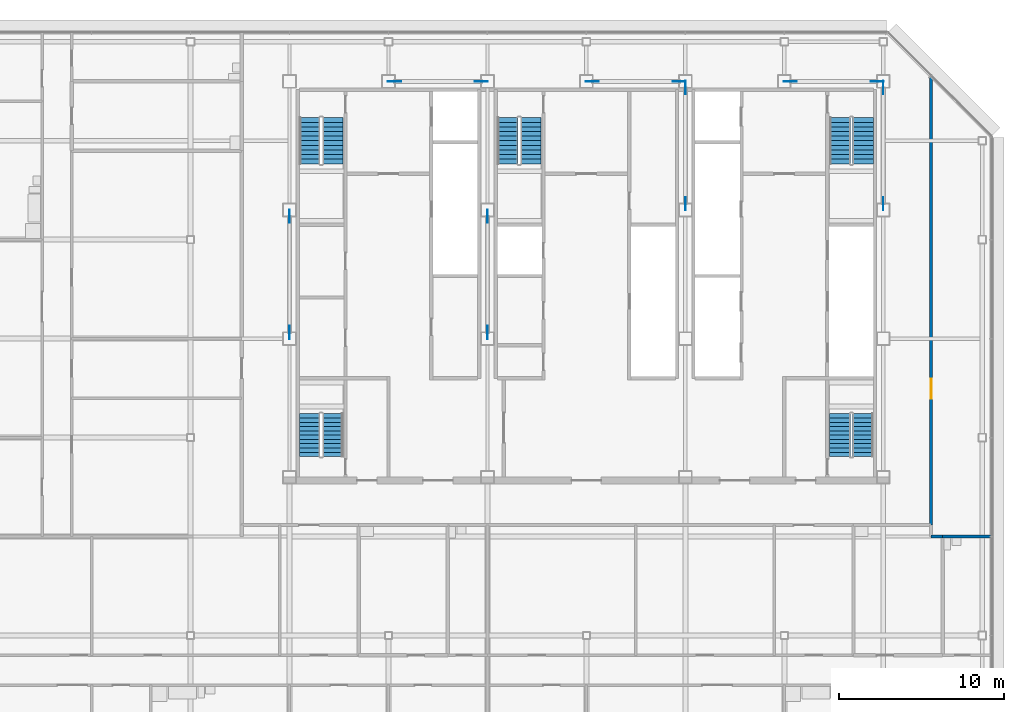
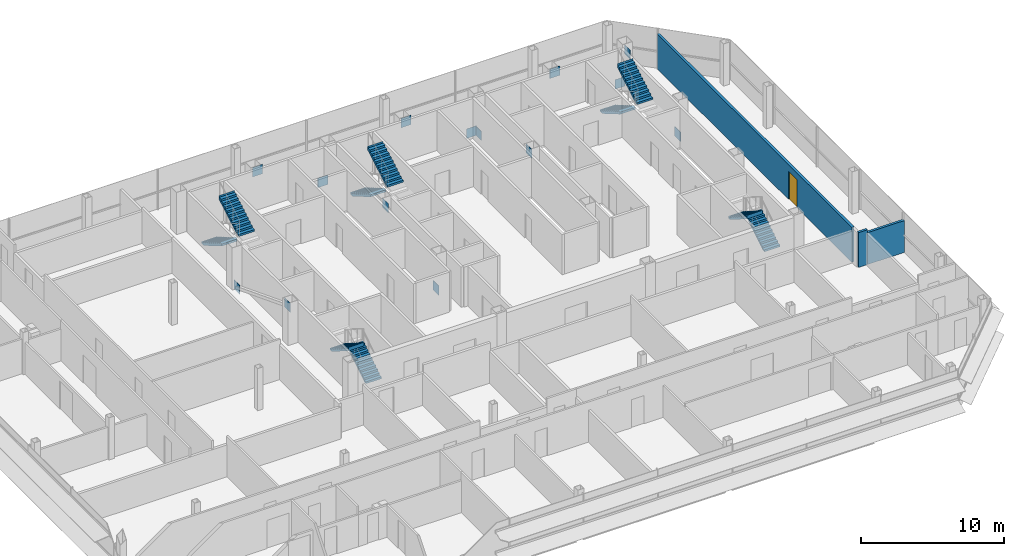
# One storey, part 25 of 27: 14 discrete accessories, 10 stair flights, 3 walls, 1 door, 1 opening, 5 elements without a shape of their own.
"""IFC4 building model written with IfcOpenShell, lengths in metres."""

import ifcopenshell
import ifcopenshell.guid

model = None  # the IFC model being written
_history = None  # IfcOwnerHistory: only IFC2X3 demands one
_inside = {}  # id of a spatial element -> (the spatial element, [elements in it])
_under = {}  # id of a project, library or spatial element -> (it, [spatial elements below it])
_declared = {}  # id of a project -> (the project, [libraries it declares])
_typed = {}  # id of a type object -> (the type object, [elements of that type])
_made_of = {}  # id of a material, layer set ... -> (it, [elements and type objects made of it])


def new_model(schema):
    """Start an empty IFC model of exactly this schema.

    Asked for "IFC4X3", IfcOpenShell would pick the latest addendum, in which some entities
    have other attributes; the version numbers below select the first issue.
    IFC2X3 requires an IfcOwnerHistory on every rooted entity: one is made here for all.
    """
    global model, _history
    if schema == "IFC4X3":
        model = ifcopenshell.file(schema_version=(4, 3, 0, 0))
    else:
        model = ifcopenshell.file(schema=schema)
    _inside.clear()
    _under.clear()
    _declared.clear()
    _typed.clear()
    _made_of.clear()
    _history = None
    if model.schema == "IFC2X3":
        org = make("IfcOrganization", Name="unknown")
        user = make(
            "IfcPersonAndOrganization",
            ThePerson=make("IfcPerson", FamilyName="unknown"),
            TheOrganization=org,
        )
        app = make(
            "IfcApplication",
            ApplicationDeveloper=org,
            Version="unknown",
            ApplicationFullName="unknown",
            ApplicationIdentifier="unknown",
        )
        _history = make(
            "IfcOwnerHistory",
            OwningUser=user,
            OwningApplication=app,
            ChangeAction="ADDED",
            CreationDate=0,
        )
    return model


def make(cls, **values):
    """One entity of the class cls with the attributes given. An attribute that is None is left unset."""
    return model.create_entity(
        cls, **{name: value for name, value in values.items() if value is not None}
    )


def rooted(cls, **values):
    """An entity with a GlobalId (a new one), such as an element, a storey or a relation."""
    return make(cls, GlobalId=ifcopenshell.guid.new(), OwnerHistory=_history, **values)


def si_unit(unit_type, name, prefix=None):
    """IfcSIUnit, for example si_unit("LENGTHUNIT", "METRE", prefix="MILLI")."""
    return make("IfcSIUnit", UnitType=unit_type, Prefix=prefix, Name=name)


def assignment(units):
    """IfcUnitAssignment: the units of a project."""
    return None if units is None else make("IfcUnitAssignment", Units=units)


def point(xyz):
    """IfcCartesianPoint."""
    return None if xyz is None else make("IfcCartesianPoint", Coordinates=xyz)


def direction(xyz):
    """IfcDirection."""
    return None if xyz is None else make("IfcDirection", DirectionRatios=xyz)


def frame(location, z_axis=None, x_axis=None):
    """IfcAxis2Placement3D, a coordinate frame: its origin and axes. An axis left out is left unset."""
    return make(
        "IfcAxis2Placement3D",
        Location=point(location),
        Axis=direction(z_axis),
        RefDirection=direction(x_axis),
    )


def frame_2d(location, x_axis=None):
    """IfcAxis2Placement2D, a coordinate frame in the plane: its origin and x axis."""
    return make(
        "IfcAxis2Placement2D", Location=point(location), RefDirection=direction(x_axis)
    )


def origin():
    """The frame at (0, 0, 0) with its axes left unset."""
    return frame((0.0, 0.0, 0.0))


def origin_2d():
    """The frame at (0, 0) in the plane with its x axis left unset."""
    return frame_2d((0.0, 0.0))


def place(relative_to, where):
    """IfcLocalPlacement: puts the frame where relative to a parent placement (None: the world)."""
    return make(
        "IfcLocalPlacement", PlacementRelTo=relative_to, RelativePlacement=where
    )


def context(
    kind, dimensions, precision=None, world=None, true_north=None, identifier=None
):
    """IfcGeometricRepresentationContext, for example the 3D "Model" context."""
    return make(
        "IfcGeometricRepresentationContext",
        ContextIdentifier=identifier,
        ContextType=kind,
        CoordinateSpaceDimension=dimensions,
        Precision=precision,
        WorldCoordinateSystem=world,
        TrueNorth=true_north,
    )


def subcontext(parent, identifier, kind, view, scale=None):
    """IfcGeometricRepresentationSubContext, for example "Body" below "Model"."""
    return make(
        "IfcGeometricRepresentationSubContext",
        ContextIdentifier=identifier,
        ContextType=kind,
        ParentContext=parent,
        TargetScale=scale,
        TargetView=view,
    )


def project(units=None, contexts=None):
    """IfcProject with its units and contexts."""
    return rooted(
        "IfcProject",
        Name="project",
        RepresentationContexts=contexts,
        UnitsInContext=assignment(units),
    )


def spatial(cls, under=None, at=None, **own):
    """A site, building, storey or space (cls), placed at a placement, below another one or the project."""
    s = rooted(cls, ObjectPlacement=at, **own)
    if under is not None:
        _under.setdefault(under.id(), (under, []))[1].append(s)
    return s


def polyline(points):
    """IfcPolyline through the points."""
    return make("IfcPolyline", Points=[point(p) for p in points])


def profile(cls, at=None, kind="AREA", **sizes):
    """A parametric profile (cls). Its sizes go by their IFC names, for example OverallWidth=200.0."""
    return make(cls, ProfileType=kind, Position=at, **sizes)


def rectangle(**sizes):
    """IfcRectangleProfileDef."""
    return profile("IfcRectangleProfileDef", **sizes)


def outline(outer, holes=None, kind="AREA"):
    """IfcArbitraryClosedProfileDef: a profile drawn as a closed curve; with holes, ...WithVoids."""
    if holes is None:
        return make("IfcArbitraryClosedProfileDef", ProfileType=kind, OuterCurve=outer)
    return make(
        "IfcArbitraryProfileDefWithVoids",
        ProfileType=kind,
        OuterCurve=outer,
        InnerCurves=holes,
    )


def extrude(swept, where, along, depth):
    """IfcExtrudedAreaSolid: the profile swept, set in the frame where, extruded along a direction by depth."""
    return make(
        "IfcExtrudedAreaSolid",
        SweptArea=swept,
        Position=where,
        ExtrudedDirection=direction(along),
        Depth=depth,
    )


def shape(context_of_items, identifier, shape_type, items):
    """IfcShapeRepresentation: the items that make up one representation, for example the "Body"."""
    return make(
        "IfcShapeRepresentation",
        ContextOfItems=context_of_items,
        RepresentationIdentifier=identifier,
        RepresentationType=shape_type,
        Items=items,
    )


def material(Name=None, Category=None):
    """IfcMaterial."""
    return make("IfcMaterial", Name=Name, Category=Category)


def layer(
    of_material, thickness, ventilated=None, Name=None, Category=None, Priority=None
):
    """IfcMaterialLayer: one layer of a wall or slab, of a material (None: an air gap)."""
    return make(
        "IfcMaterialLayer",
        Material=of_material,
        LayerThickness=thickness,
        IsVentilated=ventilated,
        Name=Name,
        Category=Category,
        Priority=Priority,
    )


def layer_set(layers, Name=None):
    """IfcMaterialLayerSet."""
    return make("IfcMaterialLayerSet", MaterialLayers=layers, LayerSetName=Name)


def made_of(thing, what):
    """Note that an element or type object is made of a material, layer set ...; save() writes the relation."""
    if what is not None:
        _made_of.setdefault(what.id(), (what, []))[1].append(thing)
    return thing


def type_object(cls, material=None, **own):
    """A type object (cls), such as IfcWallType, which elements share."""
    return made_of(rooted(cls, **own), material)


def element(
    cls,
    number,
    at=None,
    inside=None,
    cuts=None,
    type_object=None,
    material=None,
    context=None,
    identifier="Body",
    shape_type=None,
    held_by="IfcProductDefinitionShape",
    body=None,
    shapes=None,
    **own,
):
    """One element of the class cls, such as IfcWall. Its Tag is "e" and its number.

    at: its placement. inside: the storey or other place that contains it. cuts: it is an
    opening in that element (IfcRelVoidsElement). A single representation is given by context,
    identifier, shape_type and body (its items); several are given by shapes. held_by: the class
    of the entity that holds the representations. save() writes the other relations.
    """
    e = rooted(cls, Tag="e%d" % number, ObjectPlacement=at, **own)
    if body is not None:
        shapes = [shape(context, identifier, shape_type, body)]
    if shapes is not None:
        e.Representation = make(held_by, Representations=shapes)
    if inside is not None:
        _inside.setdefault(inside.id(), (inside, []))[1].append(e)
    if cuts is not None:
        rooted(
            "IfcRelVoidsElement", RelatingBuildingElement=cuts, RelatedOpeningElement=e
        )
    if type_object is not None:
        _typed.setdefault(type_object.id(), (type_object, []))[1].append(e)
    return made_of(e, material)


def fill(opening, filler):
    """IfcRelFillsElement: the door or window that sits in an opening."""
    return rooted(
        "IfcRelFillsElement",
        RelatingOpeningElement=opening,
        RelatedBuildingElement=filler,
    )


def aggregate(whole, parts):
    """IfcRelAggregates: a whole, such as a stair, and the parts it consists of."""
    return rooted("IfcRelAggregates", RelatingObject=whole, RelatedObjects=parts)


def save(model, path):
    """Write the relations noted so far, then the file.

    IfcRelAggregates (storeys below a building ...), IfcRelContainedInSpatialStructure (elements
    in a storey), IfcRelDefinesByType, IfcRelAssociatesMaterial and IfcRelDeclares: one each for
    every whole, place, type object, material and project.
    """
    for whole, parts in _under.values():
        aggregate(whole, parts)
    for where, things in _inside.values():
        rooted(
            "IfcRelContainedInSpatialStructure",
            RelatedElements=things,
            RelatingStructure=where,
        )
    for kind, things in _typed.values():
        rooted("IfcRelDefinesByType", RelatedObjects=things, RelatingType=kind)
    for what, things in _made_of.values():
        rooted("IfcRelAssociatesMaterial", RelatedObjects=things, RelatingMaterial=what)
    for by, libraries in _declared.values():
        rooted("IfcRelDeclares", RelatingContext=by, RelatedDefinitions=libraries)
    model.write(path)


model = new_model("IFC4")

# Units and contexts
model_context = context("Model", 3, precision=1e-05, world=origin(), true_north=direction((0.0, 1.0)))
body_context = subcontext(model_context, "Body", "Model", "MODEL_VIEW")
ifc_project = project(units=[si_unit("LENGTHUNIT", "METRE"), si_unit("AREAUNIT", "SQUARE_METRE"), si_unit("VOLUMEUNIT", "CUBIC_METRE"), si_unit("PLANEANGLEUNIT", "RADIAN"), si_unit("MASSUNIT", "GRAM", prefix="KILO")], contexts=[model_context])

# Site, building, storey
site_placement = place(None, origin())
site = spatial("IfcSite", under=ifc_project, at=site_placement, CompositionType="ELEMENT")
building_placement = place(site_placement, origin())
building = spatial("IfcBuilding", under=site, at=building_placement, Name="Sorahane Residences", CompositionType="ELEMENT")
storey_placement = place(building_placement, frame((0.0, 0.0, 316.0)))
storey = spatial("IfcBuildingStorey", under=building, at=storey_placement, Name="L75", CompositionType="ELEMENT", Elevation=316.0)

# Wall, opening, door
ifc_material_1 = material(Name="Concrete blockwork C20 wall", Category="masonry")
ifc_layer_1 = layer(ifc_material_1, 0.199951171875)
ifc_layer_set_1 = layer_set([ifc_layer_1], Name="Corridor wall 200 EI 120")
wall_type_1 = type_object("IfcWallType", Name="Corridor wall 200 EI 120", PredefinedType="SOLIDWALL", material=ifc_layer_set_1)
wall_1_placement = place(storey_placement, frame((44.89990234375, 18.699951171875, 0.0), z_axis=(0.0, 0.0, 1.0), x_axis=(0.0, 1.0, 0.0)))
wall_1 = element("IfcWall", 1, at=wall_1_placement, inside=storey, type_object=wall_type_1, Name="L75 corridor wall", PredefinedType="SOLIDWALL", context=body_context, shape_type="SweptSolid", body=[
    extrude(rectangle(XDim=27.2490234375, YDim=0.199951171875, at=frame_2d((13.62451171875, 0.0))), origin(), (0.0, 0.0, 1.0), 2.969970703125),
])
opening_placement = place(wall_1_placement, frame((7.659912109375, 0.0, 0.0)))
opening = element("IfcOpeningElement", 2, at=opening_placement, cuts=wall_1, Name="Opening L75-41", PredefinedType="OPENING", context=body_context, shape_type="SweptSolid", body=[
    extrude(rectangle(XDim=1.199951171875, YDim=2.39990234375, at=frame_2d((0.60009765625, 1.199951171875))), frame((0.0, 0.10986328125, 0.0), z_axis=(0.0, -1.0, 0.0), x_axis=(1.0, 0.0, 0.0)), (0.0, 0.0, 1.0), 0.219970703125),
])
ifc_material_2 = material(Name="Steel", Category="steel")
door_type = type_object("IfcDoorType", Name="Lobby door 1200x2400 FD60", OperationType="NOTDEFINED", PredefinedType="DOOR", material=ifc_material_2)
door_placement = place(opening_placement, frame((1.199951171875, 0.0, 0.0), z_axis=(0.0, 0.0, 1.0), x_axis=(-1.0, 0.0, 0.0)))
door = element("IfcDoor", 3, at=door_placement, inside=storey, type_object=door_type, Name="Lobby door L75-41", OperationType="SINGLE_SWING_RIGHT", OverallHeight=2.39990234375, OverallWidth=1.199951171875, PredefinedType="DOOR", context=body_context, shape_type="SweptSolid", body=[
    extrude(rectangle(XDim=1.199951171875, YDim=2.39990234375, at=frame_2d((0.60009765625, 1.199951171875))), frame((0.0, 0.02490234375, 0.0), z_axis=(0.0, -1.0, 0.0), x_axis=(1.0, 0.0, 0.0)), (0.0, 0.0, 1.0), 0.050048828125),
])
fill(opening, door)

# Walls
wall_2_placement = place(storey_placement, frame((45.60009765625, 18.0, 0.0), z_axis=(0.0, 0.0, 1.0), x_axis=(1.0, 0.0, 0.0)))
element("IfcWall", 4, at=wall_2_placement, inside=storey, type_object=wall_type_1, Name="L75 corridor wall", PredefinedType="SOLIDWALL", context=body_context, shape_type="SweptSolid", body=[
    extrude(rectangle(XDim=3.0, YDim=0.199951171875, at=frame_2d((1.5, 0.0))), origin(), (0.0, 0.0, 1.0), 2.719970703125),
])
ifc_material_3 = material(Name="Concrete blockwork C20 wall", Category="masonry")
ifc_layer_2 = layer(ifc_material_3, 0.199951171875)
ifc_layer_set_2 = layer_set([ifc_layer_2], Name="Kitchen wall 200 EI 180")
wall_type_2 = type_object("IfcWallType", Name="Kitchen wall 200 EI 180", PredefinedType="SOLIDWALL", material=ifc_layer_set_2)
wall_3_placement = place(storey_placement, frame((44.89990234375, 18.0, 0.0), z_axis=(0.0, 0.0, 1.0), x_axis=(1.0, 0.0, 0.0)))
element("IfcWall", 5, at=wall_3_placement, inside=storey, type_object=wall_type_2, Name="L75 kitchen wall", PredefinedType="SOLIDWALL", context=body_context, shape_type="SweptSolid", body=[
    extrude(rectangle(XDim=0.7001953125, YDim=0.199951171875, at=frame_2d((0.35009765625, 0.0))), origin(), (0.0, 0.0, 1.0), 2.969970703125),
])

# Stair, stair flights
ifc_material_4 = material(Name="Concrete C40", Category="concrete")
stair_type = type_object("IfcStairType", Name="Dog-leg stair 1250 Concrete C40", PredefinedType="HALF_TURN_STAIR", material=ifc_material_4)
stair_1_placement = place(storey_placement, origin())
stair_1 = element("IfcStair", 6, at=stair_1_placement, inside=storey, type_object=stair_type, Name="L75 Stair S1", PredefinedType="HALF_TURN_STAIR")
ifc_material_5 = material(Name="Concrete C40", Category="concrete")
stair_flight_type = type_object("IfcStairFlightType", Name="Stair flight 1250 Concrete C40", PredefinedType="STRAIGHT", material=ifc_material_5)
stair_flight_1_placement = place(storey_placement, frame((7.22509765625, 43.39990234375, 0.0), z_axis=(0.0, 0.0, 1.0), x_axis=(0.0, -1.0, 0.0)))
stair_flight_1 = element("IfcStairFlight", 7, at=stair_flight_1_placement, type_object=stair_flight_type, Name="S1 flight 1", NumberOfRisers=11, NumberOfTreads=10, PredefinedType="STRAIGHT", RiserHeight=0.163636364, TreadLength=0.28, context=body_context, shape_type="SweptSolid", body=[
    extrude(outline(polyline([(-0.00146484375, 0.0), (-0.00146484375, 0.16357421875), (0.0, 0.16357421875), (0.280029296875, 0.16357421875), (0.280029296875, 0.327392578125), (0.56005859375, 0.327392578125), (0.56005859375, 0.490966796875), (0.840087890625, 0.490966796875), (0.840087890625, 0.654541015625), (1.1201171875, 0.654541015625), (1.1201171875, 0.818115234375), (1.39990234375, 0.818115234375), (1.39990234375, 0.98193359375), (1.679931640625, 0.98193359375), (1.679931640625, 1.1455078125), (1.9599609375, 1.1455078125), (1.9599609375, 1.30908203125), (2.239990234375, 1.30908203125), (2.239990234375, 1.47265625), (2.52001953125, 1.47265625), (2.52001953125, 1.636474609375), (2.800048828125, 1.636474609375), (2.800048828125, 1.800048828125), (2.800048828125, 1.462646484375), (2.59130859375, 1.3408203125), (2.3828125, 1.218994140625), (2.17431640625, 1.09716796875), (1.965576171875, 0.97509765625), (1.757080078125, 0.853271484375), (1.548583984375, 0.7314453125), (1.340087890625, 0.609375), (1.13134765625, 0.487548828125), (0.9228515625, 0.36572265625), (0.71435546875, 0.243896484375), (0.505615234375, 0.121826171875), (0.297119140625, 0.0), (-0.00146484375, 0.0)])), frame((0.0, 0.625, 0.0), z_axis=(0.0, -1.0, 0.0), x_axis=(1.0, 0.0, 0.0)), (0.0, 0.0, 1.0), 1.25),
])
stair_flight_2_placement = place(storey_placement, frame((8.625, 40.60009765625, 1.800048828125), z_axis=(0.0, 0.0, 1.0), x_axis=(0.0, 1.0, 0.0)))
stair_flight_2 = element("IfcStairFlight", 8, at=stair_flight_2_placement, type_object=stair_flight_type, Name="S1 flight 2", NumberOfRisers=11, NumberOfTreads=10, PredefinedType="STRAIGHT", RiserHeight=0.163636364, TreadLength=0.28, context=body_context, shape_type="SweptSolid", body=[
    extrude(outline(polyline([(0.0, 0.0), (0.0, 0.16357421875), (0.280029296875, 0.16357421875), (0.280029296875, 0.327392578125), (0.56005859375, 0.327392578125), (0.56005859375, 0.490966796875), (0.840087890625, 0.490966796875), (0.840087890625, 0.654541015625), (1.1201171875, 0.654541015625), (1.1201171875, 0.818115234375), (1.39990234375, 0.818115234375), (1.39990234375, 0.98193359375), (1.679931640625, 0.98193359375), (1.679931640625, 1.1455078125), (1.9599609375, 1.1455078125), (1.9599609375, 1.30908203125), (2.239990234375, 1.30908203125), (2.239990234375, 1.47265625), (2.52001953125, 1.47265625), (2.52001953125, 1.636474609375), (2.800048828125, 1.636474609375), (2.800048828125, 1.800048828125), (2.801513671875, 1.800048828125), (2.801513671875, 1.462646484375), (2.5927734375, 1.3408203125), (2.384033203125, 1.218994140625), (2.17529296875, 1.09716796875), (1.966796875, 0.97509765625), (1.758056640625, 0.853271484375), (1.54931640625, 0.7314453125), (1.340576171875, 0.609375), (1.1318359375, 0.487548828125), (0.923095703125, 0.36572265625), (0.714599609375, 0.243896484375), (0.505859375, 0.121826171875), (0.297119140625, 0.0), (0.0, 0.0)])), frame((0.0, 0.625, 0.0), z_axis=(0.0, -1.0, 0.0), x_axis=(1.0, 0.0, 0.0)), (0.0, 0.0, 1.0), 1.25),
])
aggregate(stair_1, [stair_flight_1, stair_flight_2])

stair_2_placement = place(storey_placement, origin())
stair_2 = element("IfcStair", 9, at=stair_2_placement, inside=storey, type_object=stair_type, Name="L75 Stair S2", PredefinedType="HALF_TURN_STAIR")
stair_flight_3_placement = place(storey_placement, frame((39.375, 43.39990234375, 0.0), z_axis=(0.0, 0.0, 1.0), x_axis=(0.0, -1.0, 0.0)))
stair_flight_3 = element("IfcStairFlight", 10, at=stair_flight_3_placement, type_object=stair_flight_type, Name="S2 flight 1", NumberOfRisers=11, NumberOfTreads=10, PredefinedType="STRAIGHT", RiserHeight=0.163636364, TreadLength=0.28, context=body_context, shape_type="SweptSolid", body=[
    extrude(outline(polyline([(-0.00146484375, 0.0), (-0.00146484375, 0.16357421875), (0.0, 0.16357421875), (0.280029296875, 0.16357421875), (0.280029296875, 0.327392578125), (0.56005859375, 0.327392578125), (0.56005859375, 0.490966796875), (0.840087890625, 0.490966796875), (0.840087890625, 0.654541015625), (1.1201171875, 0.654541015625), (1.1201171875, 0.818115234375), (1.39990234375, 0.818115234375), (1.39990234375, 0.98193359375), (1.679931640625, 0.98193359375), (1.679931640625, 1.1455078125), (1.9599609375, 1.1455078125), (1.9599609375, 1.30908203125), (2.239990234375, 1.30908203125), (2.239990234375, 1.47265625), (2.52001953125, 1.47265625), (2.52001953125, 1.636474609375), (2.800048828125, 1.636474609375), (2.800048828125, 1.800048828125), (2.800048828125, 1.462646484375), (2.59130859375, 1.3408203125), (2.3828125, 1.218994140625), (2.17431640625, 1.09716796875), (1.965576171875, 0.97509765625), (1.757080078125, 0.853271484375), (1.548583984375, 0.7314453125), (1.340087890625, 0.609375), (1.13134765625, 0.487548828125), (0.9228515625, 0.36572265625), (0.71435546875, 0.243896484375), (0.505615234375, 0.121826171875), (0.297119140625, 0.0), (-0.00146484375, 0.0)])), frame((0.0, 0.625, 0.0), z_axis=(0.0, -1.0, 0.0), x_axis=(1.0, 0.0, 0.0)), (0.0, 0.0, 1.0), 1.25),
])
stair_flight_4_placement = place(storey_placement, frame((40.77490234375, 40.60009765625, 1.800048828125), z_axis=(0.0, 0.0, 1.0), x_axis=(0.0, 1.0, 0.0)))
stair_flight_4 = element("IfcStairFlight", 11, at=stair_flight_4_placement, type_object=stair_flight_type, Name="S2 flight 2", NumberOfRisers=11, NumberOfTreads=10, PredefinedType="STRAIGHT", RiserHeight=0.163636364, TreadLength=0.28, context=body_context, shape_type="SweptSolid", body=[
    extrude(outline(polyline([(0.0, 0.0), (0.0, 0.16357421875), (0.280029296875, 0.16357421875), (0.280029296875, 0.327392578125), (0.56005859375, 0.327392578125), (0.56005859375, 0.490966796875), (0.840087890625, 0.490966796875), (0.840087890625, 0.654541015625), (1.1201171875, 0.654541015625), (1.1201171875, 0.818115234375), (1.39990234375, 0.818115234375), (1.39990234375, 0.98193359375), (1.679931640625, 0.98193359375), (1.679931640625, 1.1455078125), (1.9599609375, 1.1455078125), (1.9599609375, 1.30908203125), (2.239990234375, 1.30908203125), (2.239990234375, 1.47265625), (2.52001953125, 1.47265625), (2.52001953125, 1.636474609375), (2.800048828125, 1.636474609375), (2.800048828125, 1.800048828125), (2.801513671875, 1.800048828125), (2.801513671875, 1.462646484375), (2.5927734375, 1.3408203125), (2.384033203125, 1.218994140625), (2.17529296875, 1.09716796875), (1.966796875, 0.97509765625), (1.758056640625, 0.853271484375), (1.54931640625, 0.7314453125), (1.340576171875, 0.609375), (1.1318359375, 0.487548828125), (0.923095703125, 0.36572265625), (0.714599609375, 0.243896484375), (0.505859375, 0.121826171875), (0.297119140625, 0.0), (0.0, 0.0)])), frame((0.0, 0.625, 0.0), z_axis=(0.0, -1.0, 0.0), x_axis=(1.0, 0.0, 0.0)), (0.0, 0.0, 1.0), 1.25),
])
aggregate(stair_2, [stair_flight_3, stair_flight_4])

stair_3_placement = place(storey_placement, origin())
stair_3 = element("IfcStair", 12, at=stair_3_placement, inside=storey, type_object=stair_type, Name="L75 Stair S3", PredefinedType="HALF_TURN_STAIR")
stair_flight_5_placement = place(storey_placement, frame((19.22509765625, 43.39990234375, 0.0), z_axis=(0.0, 0.0, 1.0), x_axis=(0.0, -1.0, 0.0)))
stair_flight_5 = element("IfcStairFlight", 13, at=stair_flight_5_placement, type_object=stair_flight_type, Name="S3 flight 1", NumberOfRisers=11, NumberOfTreads=10, PredefinedType="STRAIGHT", RiserHeight=0.163636364, TreadLength=0.28, context=body_context, shape_type="SweptSolid", body=[
    extrude(outline(polyline([(-0.00146484375, 0.0), (-0.00146484375, 0.16357421875), (0.0, 0.16357421875), (0.280029296875, 0.16357421875), (0.280029296875, 0.327392578125), (0.56005859375, 0.327392578125), (0.56005859375, 0.490966796875), (0.840087890625, 0.490966796875), (0.840087890625, 0.654541015625), (1.1201171875, 0.654541015625), (1.1201171875, 0.818115234375), (1.39990234375, 0.818115234375), (1.39990234375, 0.98193359375), (1.679931640625, 0.98193359375), (1.679931640625, 1.1455078125), (1.9599609375, 1.1455078125), (1.9599609375, 1.30908203125), (2.239990234375, 1.30908203125), (2.239990234375, 1.47265625), (2.52001953125, 1.47265625), (2.52001953125, 1.636474609375), (2.800048828125, 1.636474609375), (2.800048828125, 1.800048828125), (2.800048828125, 1.462646484375), (2.59130859375, 1.3408203125), (2.3828125, 1.218994140625), (2.17431640625, 1.09716796875), (1.965576171875, 0.97509765625), (1.757080078125, 0.853271484375), (1.548583984375, 0.7314453125), (1.340087890625, 0.609375), (1.13134765625, 0.487548828125), (0.9228515625, 0.36572265625), (0.71435546875, 0.243896484375), (0.505615234375, 0.121826171875), (0.297119140625, 0.0), (-0.00146484375, 0.0)])), frame((0.0, 0.625, 0.0), z_axis=(0.0, -1.0, 0.0), x_axis=(1.0, 0.0, 0.0)), (0.0, 0.0, 1.0), 1.25),
])
stair_flight_6_placement = place(storey_placement, frame((20.625, 40.60009765625, 1.800048828125), z_axis=(0.0, 0.0, 1.0), x_axis=(0.0, 1.0, 0.0)))
stair_flight_6 = element("IfcStairFlight", 14, at=stair_flight_6_placement, type_object=stair_flight_type, Name="S3 flight 2", NumberOfRisers=11, NumberOfTreads=10, PredefinedType="STRAIGHT", RiserHeight=0.163636364, TreadLength=0.28, context=body_context, shape_type="SweptSolid", body=[
    extrude(outline(polyline([(0.0, 0.0), (0.0, 0.16357421875), (0.280029296875, 0.16357421875), (0.280029296875, 0.327392578125), (0.56005859375, 0.327392578125), (0.56005859375, 0.490966796875), (0.840087890625, 0.490966796875), (0.840087890625, 0.654541015625), (1.1201171875, 0.654541015625), (1.1201171875, 0.818115234375), (1.39990234375, 0.818115234375), (1.39990234375, 0.98193359375), (1.679931640625, 0.98193359375), (1.679931640625, 1.1455078125), (1.9599609375, 1.1455078125), (1.9599609375, 1.30908203125), (2.239990234375, 1.30908203125), (2.239990234375, 1.47265625), (2.52001953125, 1.47265625), (2.52001953125, 1.636474609375), (2.800048828125, 1.636474609375), (2.800048828125, 1.800048828125), (2.801513671875, 1.800048828125), (2.801513671875, 1.462646484375), (2.5927734375, 1.3408203125), (2.384033203125, 1.218994140625), (2.17529296875, 1.09716796875), (1.966796875, 0.97509765625), (1.758056640625, 0.853271484375), (1.54931640625, 0.7314453125), (1.340576171875, 0.609375), (1.1318359375, 0.487548828125), (0.923095703125, 0.36572265625), (0.714599609375, 0.243896484375), (0.505859375, 0.121826171875), (0.297119140625, 0.0), (0.0, 0.0)])), frame((0.0, 0.625, 0.0), z_axis=(0.0, -1.0, 0.0), x_axis=(1.0, 0.0, 0.0)), (0.0, 0.0, 1.0), 1.25),
])
aggregate(stair_3, [stair_flight_5, stair_flight_6])

stair_4_placement = place(storey_placement, origin())
stair_4 = element("IfcStair", 15, at=stair_4_placement, inside=storey, type_object=stair_type, Name="L75 Stair S4", PredefinedType="HALF_TURN_STAIR")
stair_flight_7_placement = place(storey_placement, frame((8.625, 22.85009765625, 0.0), z_axis=(0.0, 0.0, 1.0), x_axis=(0.0, 1.0, 0.0)))
stair_flight_7 = element("IfcStairFlight", 16, at=stair_flight_7_placement, type_object=stair_flight_type, Name="S4 flight 1", NumberOfRisers=11, NumberOfTreads=10, PredefinedType="STRAIGHT", RiserHeight=0.163636364, TreadLength=0.26, context=body_context, shape_type="SweptSolid", body=[
    extrude(outline(polyline([(-0.00146484375, 0.0), (-0.00146484375, 0.16357421875), (0.0, 0.16357421875), (0.260009765625, 0.16357421875), (0.260009765625, 0.327392578125), (0.52001953125, 0.327392578125), (0.52001953125, 0.490966796875), (0.780029296875, 0.490966796875), (0.780029296875, 0.654541015625), (1.0400390625, 0.654541015625), (1.0400390625, 0.818115234375), (1.300048828125, 0.818115234375), (1.300048828125, 0.98193359375), (1.56005859375, 0.98193359375), (1.56005859375, 1.1455078125), (1.820068359375, 1.1455078125), (1.820068359375, 1.30908203125), (2.080078125, 1.30908203125), (2.080078125, 1.47265625), (2.340087890625, 1.47265625), (2.340087890625, 1.636474609375), (2.60009765625, 1.636474609375), (2.60009765625, 1.800048828125), (2.60009765625, 1.494384765625), (2.402099609375, 1.369873046875), (2.204345703125, 1.245361328125), (2.00634765625, 1.120849609375), (1.80859375, 0.996337890625), (1.610595703125, 0.871826171875), (1.412841796875, 0.747314453125), (1.21484375, 0.622802734375), (1.01708984375, 0.498046875), (0.819091796875, 0.37353515625), (0.621337890625, 0.2490234375), (0.42333984375, 0.12451171875), (0.2255859375, 0.0), (-0.00146484375, 0.0)])), frame((0.0, 0.625, 0.0), z_axis=(0.0, -1.0, 0.0), x_axis=(1.0, 0.0, 0.0)), (0.0, 0.0, 1.0), 1.25),
])
stair_flight_8_placement = place(storey_placement, frame((7.22509765625, 25.449951171875, 1.800048828125), z_axis=(0.0, 0.0, 1.0), x_axis=(0.0, -1.0, 0.0)))
stair_flight_8 = element("IfcStairFlight", 17, at=stair_flight_8_placement, type_object=stair_flight_type, Name="S4 flight 2", NumberOfRisers=11, NumberOfTreads=10, PredefinedType="STRAIGHT", RiserHeight=0.163636364, TreadLength=0.26, context=body_context, shape_type="SweptSolid", body=[
    extrude(outline(polyline([(0.0, 0.0), (0.0, 0.16357421875), (0.260009765625, 0.16357421875), (0.260009765625, 0.327392578125), (0.52001953125, 0.327392578125), (0.52001953125, 0.490966796875), (0.780029296875, 0.490966796875), (0.780029296875, 0.654541015625), (1.0400390625, 0.654541015625), (1.0400390625, 0.818115234375), (1.300048828125, 0.818115234375), (1.300048828125, 0.98193359375), (1.56005859375, 0.98193359375), (1.56005859375, 1.1455078125), (1.820068359375, 1.1455078125), (1.820068359375, 1.30908203125), (2.080078125, 1.30908203125), (2.080078125, 1.47265625), (2.340087890625, 1.47265625), (2.340087890625, 1.636474609375), (2.60009765625, 1.636474609375), (2.60009765625, 1.800048828125), (2.6015625, 1.800048828125), (2.6015625, 1.494384765625), (2.403564453125, 1.369873046875), (2.20556640625, 1.245361328125), (2.007568359375, 1.120849609375), (1.8095703125, 0.996337890625), (1.611572265625, 0.871826171875), (1.41357421875, 0.747314453125), (1.215576171875, 0.622802734375), (1.017578125, 0.498046875), (0.819580078125, 0.37353515625), (0.62158203125, 0.2490234375), (0.423583984375, 0.12451171875), (0.2255859375, 0.0), (0.0, 0.0)])), frame((0.0, 0.625, 0.0), z_axis=(0.0, -1.0, 0.0), x_axis=(1.0, 0.0, 0.0)), (0.0, 0.0, 1.0), 1.25),
])
aggregate(stair_4, [stair_flight_7, stair_flight_8])

stair_5_placement = place(storey_placement, origin())
stair_5 = element("IfcStair", 18, at=stair_5_placement, inside=storey, type_object=stair_type, Name="L75 Stair S5", PredefinedType="HALF_TURN_STAIR")
stair_flight_9_placement = place(storey_placement, frame((40.77490234375, 22.85009765625, 0.0), z_axis=(0.0, 0.0, 1.0), x_axis=(0.0, 1.0, 0.0)))
stair_flight_9 = element("IfcStairFlight", 19, at=stair_flight_9_placement, type_object=stair_flight_type, Name="S5 flight 1", NumberOfRisers=11, NumberOfTreads=10, PredefinedType="STRAIGHT", RiserHeight=0.163636364, TreadLength=0.26, context=body_context, shape_type="SweptSolid", body=[
    extrude(outline(polyline([(-0.00146484375, 0.0), (-0.00146484375, 0.16357421875), (0.0, 0.16357421875), (0.260009765625, 0.16357421875), (0.260009765625, 0.327392578125), (0.52001953125, 0.327392578125), (0.52001953125, 0.490966796875), (0.780029296875, 0.490966796875), (0.780029296875, 0.654541015625), (1.0400390625, 0.654541015625), (1.0400390625, 0.818115234375), (1.300048828125, 0.818115234375), (1.300048828125, 0.98193359375), (1.56005859375, 0.98193359375), (1.56005859375, 1.1455078125), (1.820068359375, 1.1455078125), (1.820068359375, 1.30908203125), (2.080078125, 1.30908203125), (2.080078125, 1.47265625), (2.340087890625, 1.47265625), (2.340087890625, 1.636474609375), (2.60009765625, 1.636474609375), (2.60009765625, 1.800048828125), (2.60009765625, 1.494384765625), (2.402099609375, 1.369873046875), (2.204345703125, 1.245361328125), (2.00634765625, 1.120849609375), (1.80859375, 0.996337890625), (1.610595703125, 0.871826171875), (1.412841796875, 0.747314453125), (1.21484375, 0.622802734375), (1.01708984375, 0.498046875), (0.819091796875, 0.37353515625), (0.621337890625, 0.2490234375), (0.42333984375, 0.12451171875), (0.2255859375, 0.0), (-0.00146484375, 0.0)])), frame((0.0, 0.625, 0.0), z_axis=(0.0, -1.0, 0.0), x_axis=(1.0, 0.0, 0.0)), (0.0, 0.0, 1.0), 1.25),
])
stair_flight_10_placement = place(storey_placement, frame((39.375, 25.449951171875, 1.800048828125), z_axis=(0.0, 0.0, 1.0), x_axis=(0.0, -1.0, 0.0)))
stair_flight_10 = element("IfcStairFlight", 20, at=stair_flight_10_placement, type_object=stair_flight_type, Name="S5 flight 2", NumberOfRisers=11, NumberOfTreads=10, PredefinedType="STRAIGHT", RiserHeight=0.163636364, TreadLength=0.26, context=body_context, shape_type="SweptSolid", body=[
    extrude(outline(polyline([(0.0, 0.0), (0.0, 0.16357421875), (0.260009765625, 0.16357421875), (0.260009765625, 0.327392578125), (0.52001953125, 0.327392578125), (0.52001953125, 0.490966796875), (0.780029296875, 0.490966796875), (0.780029296875, 0.654541015625), (1.0400390625, 0.654541015625), (1.0400390625, 0.818115234375), (1.300048828125, 0.818115234375), (1.300048828125, 0.98193359375), (1.56005859375, 0.98193359375), (1.56005859375, 1.1455078125), (1.820068359375, 1.1455078125), (1.820068359375, 1.30908203125), (2.080078125, 1.30908203125), (2.080078125, 1.47265625), (2.340087890625, 1.47265625), (2.340087890625, 1.636474609375), (2.60009765625, 1.636474609375), (2.60009765625, 1.800048828125), (2.6015625, 1.800048828125), (2.6015625, 1.494384765625), (2.403564453125, 1.369873046875), (2.20556640625, 1.245361328125), (2.007568359375, 1.120849609375), (1.8095703125, 0.996337890625), (1.611572265625, 0.871826171875), (1.41357421875, 0.747314453125), (1.215576171875, 0.622802734375), (1.017578125, 0.498046875), (0.819580078125, 0.37353515625), (0.62158203125, 0.2490234375), (0.423583984375, 0.12451171875), (0.2255859375, 0.0), (0.0, 0.0)])), frame((0.0, 0.625, 0.0), z_axis=(0.0, -1.0, 0.0), x_axis=(1.0, 0.0, 0.0)), (0.0, 0.0, 1.0), 1.25),
])
aggregate(stair_5, [stair_flight_9, stair_flight_10])

# Discrete accessories
ifc_material_6 = material(Name="Steel Q355B", Category="steel")
ifc_layer_3 = layer(ifc_material_6, 0.02490234375)
ifc_layer_set_3 = layer_set([ifc_layer_3], Name="Node plate Steel Q355B 25")
discrete_accessory_type = type_object("IfcDiscreteAccessoryType", Name="Node plate Steel Q355B 25", PredefinedType="BRACKET", material=ifc_layer_set_3)
for number, where, z_axis, x_axis, name in (
    (21, (6.0, 37.42724609375, -0.28564453125), (0.0, 0.0, 1.0), (0.0, 1.0, 0.0), "Node plate L75 br"),
    (22, (6.0, 30.372802734375, 2.45556640625), (0.0, 0.0, 1.0), (0.0, 1.0, 0.0), "Node plate L75 br"),
    (23, (18.0, 30.372802734375, -0.28564453125), (0.0, 0.0, 1.0), (0.0, 1.0, 0.0), "Node plate L75 br"),
    (24, (18.0, 37.42724609375, 2.45556640625), (0.0, 0.0, 1.0), (0.0, 1.0, 0.0), "Node plate L75 br"),
    (25, (30.0, 45.227294921875, -0.28564453125), (0.0, 0.0, 1.0), (0.0, 1.0, 0.0), "Node plate L75 br"),
    (26, (30.0, 38.1728515625, 2.45556640625), (0.0, 0.0, 1.0), (0.0, 1.0, 0.0), "Node plate L75 br"),
    (27, (42.0, 38.1728515625, -0.28564453125), (0.0, 0.0, 1.0), (0.0, 1.0, 0.0), "Node plate L75 br"),
    (28, (42.0, 45.227294921875, 2.45556640625), (0.0, 0.0, 1.0), (0.0, 1.0, 0.0), "Node plate L75 br"),
    (29, (17.634765625, 45.60009765625, -0.29345703125), (0.0, 0.0, 1.0), (1.0, 0.0, 0.0), "Node plate L75 br"),
    (30, (29.634765625, 45.60009765625, -0.29345703125), (0.0, 0.0, 1.0), (1.0, 0.0, 0.0), "Node plate L75 br"),
    (31, (41.634765625, 45.60009765625, -0.29345703125), (0.0, 0.0, 1.0), (1.0, 0.0, 0.0), "Node plate L75 br"),
    (32, (12.365234375, 45.60009765625, 2.46337890625), (0.0, 0.0, 1.0), (1.0, 0.0, 0.0), "Node plate L75 br"),
    (33, (24.365234375, 45.60009765625, 2.46337890625), (0.0, 0.0, 1.0), (1.0, 0.0, 0.0), "Node plate L75 br"),
    (34, (36.365234375, 45.60009765625, 2.46337890625), (0.0, 0.0, 1.0), (1.0, 0.0, 0.0), "Node plate L75 br"),
):
    element("IfcDiscreteAccessory", number, at=place(storey_placement, frame(where, z_axis=z_axis, x_axis=x_axis)), inside=storey, type_object=discrete_accessory_type, Name=name, PredefinedType="BRACKET", context=body_context, shape_type="SweptSolid", body=[
        extrude(rectangle(XDim=0.800048828125, YDim=0.02490234375, at=origin_2d()), origin(), (0.0, 0.0, 1.0), 0.800048828125),
    ])

save(model, "model.ifc")
